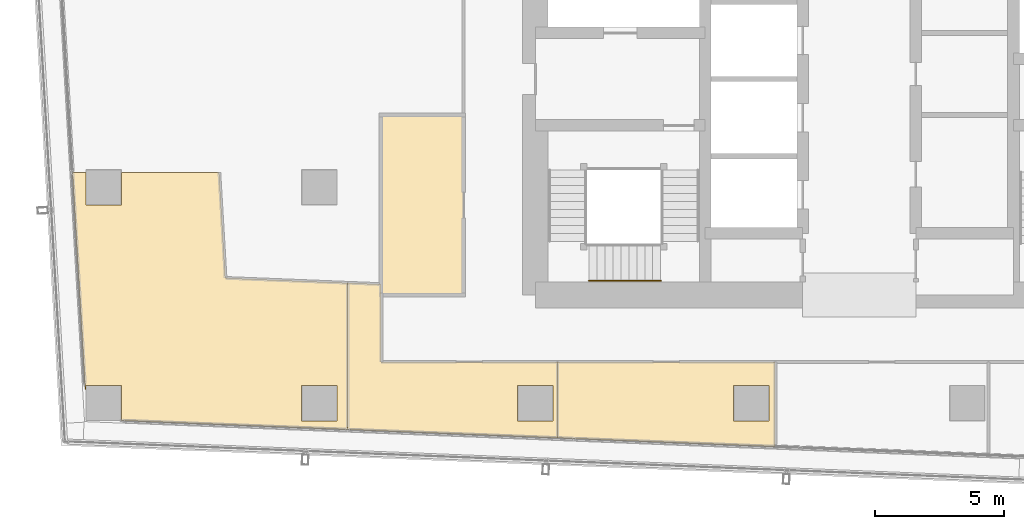
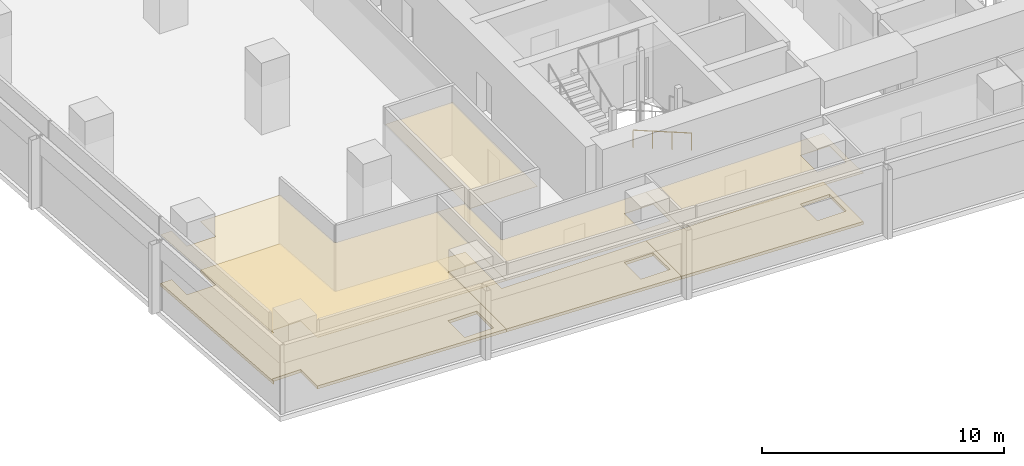
# One storey, part 31 of 40: 7 coverings, 1 railing.
"""IFC4 building model written with IfcOpenShell, lengths in metres."""

from ifc_helpers import new_model, si_unit, direction, frame, origin, origin_2d, place, context, subcontext, project, spatial, polyline, circle, outline, extrude, material, layer, layer_set, type_object, element, save


model = new_model("IFC4")

# Units and contexts
model_context = context("Model", 3, precision=1e-05, world=origin(), true_north=direction((0.0, 1.0)))
body_context = subcontext(model_context, "Body", "Model", "MODEL_VIEW")
ifc_project = project(units=[si_unit("LENGTHUNIT", "METRE"), si_unit("AREAUNIT", "SQUARE_METRE"), si_unit("VOLUMEUNIT", "CUBIC_METRE"), si_unit("PLANEANGLEUNIT", "RADIAN"), si_unit("MASSUNIT", "GRAM", prefix="KILO")], contexts=[model_context])

# Site, building, storey
site_placement = place(None, origin())
site = spatial("IfcSite", under=ifc_project, at=site_placement, CompositionType="ELEMENT")
building_placement = place(site_placement, origin())
building = spatial("IfcBuilding", under=site, at=building_placement, Name="Rekha Terrace Tower", CompositionType="ELEMENT")
storey_placement = place(building_placement, frame((0.0, 0.0, 213.949951171875)))
storey = spatial("IfcBuildingStorey", under=building, at=storey_placement, Name="L54", CompositionType="ELEMENT", Elevation=213.949951171875)

# Coverings
ifc_material_1 = material(Name="Mineral fibre tile in exposed grid", Category="finish")
ifc_layer_1 = layer(ifc_material_1, 0.02001953125)
ifc_layer_set_1 = layer_set([ifc_layer_1], Name="Mineral fibre tile in exposed grid")
covering_type_1 = type_object("IfcCoveringType", Name="CL1 600x1200 office grid ceiling", PredefinedType="CEILING", material=ifc_layer_set_1)
covering_1_placement = place(storey_placement, frame((0.0, 0.0, 2.580078125)))
element("IfcCovering", 1, at=covering_1_placement, inside=storey, type_object=covering_type_1, Name="Ceiling L54-12", PredefinedType="CEILING", context=body_context, shape_type="SweptSolid", body=[
    extrude(outline(polyline([(9.090087890625, 16.117919921875), (17.89892578125, 15.76611328125), (17.89892578125, 21.470947265625), (13.138916015625, 21.660888671875), (12.89697265625, 25.76611328125), (9.090087890625, 25.76611328125), (9.090087890625, 24.510009765625), (7.7099609375, 24.510009765625), (7.7099609375, 25.76611328125), (7.18701171875, 25.76611328125), (7.68408203125, 17.319091796875), (7.7099609375, 17.320068359375), (7.7099609375, 17.489990234375), (9.090087890625, 17.489990234375), (9.090087890625, 16.117919921875)]), holes=[polyline([(17.489990234375, 17.489990234375), (17.489990234375, 16.110107421875), (16.110107421875, 16.110107421875), (16.110107421875, 17.489990234375), (17.489990234375, 17.489990234375)])]), origin(), (0.0, 0.0, 1.0), 0.02001953125),
])
covering_2_placement = place(storey_placement, frame((0.0, 0.0, 2.580078125)))
element("IfcCovering", 2, at=covering_2_placement, inside=storey, type_object=covering_type_1, Name="Ceiling L54-13", PredefinedType="CEILING", context=body_context, shape_type="SweptSolid", body=[
    extrude(outline(polyline([(26.056884765625, 15.43994140625), (26.056884765625, 18.39990234375), (19.199951171875, 18.39990234375), (19.199951171875, 21.4189453125), (17.89990234375, 21.470947265625), (17.89990234375, 15.76611328125), (26.056884765625, 15.43994140625)]), holes=[polyline([(25.889892578125, 17.489990234375), (25.889892578125, 16.110107421875), (24.510009765625, 16.110107421875), (24.510009765625, 17.489990234375), (25.889892578125, 17.489990234375)])]), origin(), (0.0, 0.0, 1.0), 0.02001953125),
])
covering_3_placement = place(storey_placement, frame((0.0, 0.0, 2.580078125)))
element("IfcCovering", 3, at=covering_3_placement, inside=storey, type_object=covering_type_1, Name="Ceiling L54-14", PredefinedType="CEILING", context=body_context, shape_type="SweptSolid", body=[
    extrude(outline(polyline([(26.05810546875, 18.39990234375), (26.05810546875, 15.43994140625), (34.530029296875, 15.10205078125), (34.530029296875, 18.39990234375), (26.05810546875, 18.39990234375)]), holes=[polyline([(34.2900390625, 16.110107421875), (32.909912109375, 16.110107421875), (32.909912109375, 17.489990234375), (34.2900390625, 17.489990234375), (34.2900390625, 16.110107421875)])]), origin(), (0.0, 0.0, 1.0), 0.02001953125),
])
ifc_material_2 = material(Name="Fibre cement board", Category="finish")
ifc_layer_2 = layer(ifc_material_2, 0.014892578125)
ifc_layer_set_2 = layer_set([ifc_layer_2], Name="Fibre cement board")
covering_type_2 = type_object("IfcCoveringType", Name="CL2 moisture-resistant board ceiling", PredefinedType="CEILING", material=ifc_layer_set_2)
covering_4_placement = place(storey_placement, frame((0.0, 0.0, 2.5849609375)))
element("IfcCovering", 4, at=covering_4_placement, inside=storey, type_object=covering_type_2, Name="Ceiling L54-WCM", PredefinedType="CEILING", context=body_context, shape_type="SweptSolid", body=[
    extrude(outline(polyline([(22.39990234375, 28.0), (19.199951171875, 28.0), (19.199951171875, 21.0), (22.39990234375, 21.0), (22.39990234375, 28.0)])), origin(), (0.0, 0.0, 1.0), 0.01513671875),
])

# Railing
ifc_material_3 = material(Name="Stainless steel tube", Category="steel")
railing_type = type_object("IfcRailingType", Name="HR1 900 stair handrail", PredefinedType="HANDRAIL", material=ifc_material_3)
railing_placement = place(storey_placement, frame((30.074951171875, 21.56005859375, 1.375)))
element("IfcRailing", 5, at=railing_placement, inside=storey, type_object=railing_type, Name="Handrail ST1 L54 flight 2", PredefinedType="HANDRAIL", context=body_context, shape_type="SweptSolid", body=[
    extrude(circle(Radius=0.02392578125, at=origin_2d()), frame((0.0, 0.0, 0.8759765625), z_axis=(-0.927443287984, 0.0, 0.373963831907), x_axis=(0.0, -1.0, 0.0)), (0.0, 0.0, 1.0), 3.00830078125),
    extrude(circle(Radius=0.02099609375, at=origin_2d()), origin(), (0.0, 0.0, 1.0), 0.851806640625),
    extrude(circle(Radius=0.02099609375, at=origin_2d()), frame((-0.929931640625, 0.0, 0.375)), (0.0, 0.0, 1.0), 0.851806640625),
    extrude(circle(Radius=0.02099609375, at=origin_2d()), frame((-1.860107421875, 0.0, 0.75)), (0.0, 0.0, 1.0), 0.851806640625),
    extrude(circle(Radius=0.02099609375, at=origin_2d()), frame((-2.7900390625, 0.0, 1.125)), (0.0, 0.0, 1.0), 0.851806640625),
])

# Coverings
ifc_material_4 = material(Name="Calcium sulphate panels on steel pedestals", Category="steel")
ifc_layer_3 = layer(ifc_material_4, 0.14990234375)
ifc_layer_set_3 = layer_set([ifc_layer_3], Name="Calcium sulphate panels on steel pedestals")
covering_type_3 = type_object("IfcCoveringType", Name="RF1 150 raised access floor", PredefinedType="FLOORING", material=ifc_layer_set_3)
covering_5_placement = place(storey_placement, origin())
element("IfcCovering", 6, at=covering_5_placement, inside=storey, type_object=covering_type_3, Name="Raised floor L54-12", PredefinedType="FLOORING", context=body_context, shape_type="SweptSolid", body=[
    extrude(outline(polyline([(9.090087890625, 16.117919921875), (17.89892578125, 15.76611328125), (17.89892578125, 21.470947265625), (13.138916015625, 21.660888671875), (12.89697265625, 25.76611328125), (9.090087890625, 25.76611328125), (9.090087890625, 24.510009765625), (7.7099609375, 24.510009765625), (7.7099609375, 25.76611328125), (7.18701171875, 25.76611328125), (7.68408203125, 17.319091796875), (7.7099609375, 17.320068359375), (7.7099609375, 17.489990234375), (9.090087890625, 17.489990234375), (9.090087890625, 16.117919921875)]), holes=[polyline([(17.489990234375, 17.489990234375), (17.489990234375, 16.110107421875), (16.110107421875, 16.110107421875), (16.110107421875, 17.489990234375), (17.489990234375, 17.489990234375)])]), origin(), (0.0, 0.0, 1.0), 0.150146484375),
])
covering_6_placement = place(storey_placement, origin())
element("IfcCovering", 7, at=covering_6_placement, inside=storey, type_object=covering_type_3, Name="Raised floor L54-13", PredefinedType="FLOORING", context=body_context, shape_type="SweptSolid", body=[
    extrude(outline(polyline([(26.056884765625, 15.43994140625), (26.056884765625, 18.39990234375), (19.199951171875, 18.39990234375), (19.199951171875, 21.4189453125), (17.89990234375, 21.470947265625), (17.89990234375, 15.76611328125), (26.056884765625, 15.43994140625)]), holes=[polyline([(25.889892578125, 17.489990234375), (25.889892578125, 16.110107421875), (24.510009765625, 16.110107421875), (24.510009765625, 17.489990234375), (25.889892578125, 17.489990234375)])]), origin(), (0.0, 0.0, 1.0), 0.150146484375),
])
covering_7_placement = place(storey_placement, origin())
element("IfcCovering", 8, at=covering_7_placement, inside=storey, type_object=covering_type_3, Name="Raised floor L54-14", PredefinedType="FLOORING", context=body_context, shape_type="SweptSolid", body=[
    extrude(outline(polyline([(26.05810546875, 18.39990234375), (26.05810546875, 15.43994140625), (34.530029296875, 15.10205078125), (34.530029296875, 18.39990234375), (26.05810546875, 18.39990234375)]), holes=[polyline([(34.2900390625, 16.110107421875), (32.909912109375, 16.110107421875), (32.909912109375, 17.489990234375), (34.2900390625, 17.489990234375), (34.2900390625, 16.110107421875)])]), origin(), (0.0, 0.0, 1.0), 0.150146484375),
])

save(model, "model.ifc")
